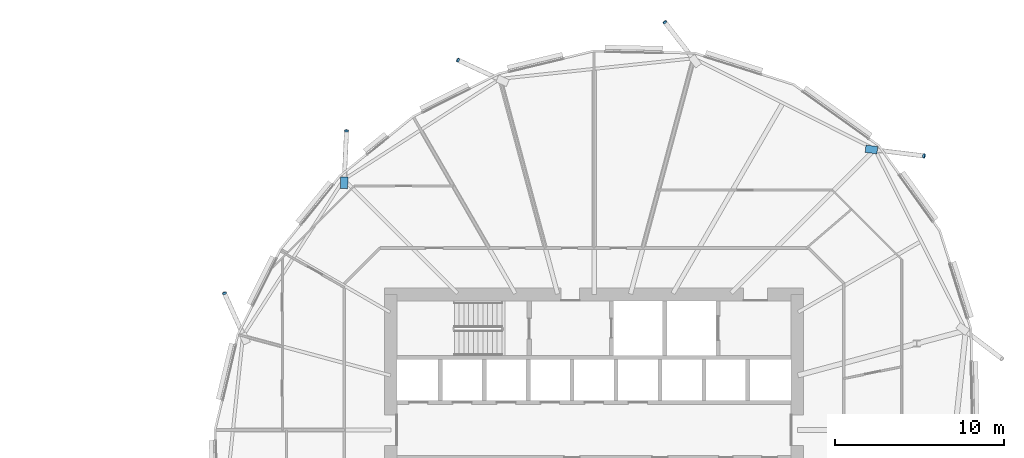
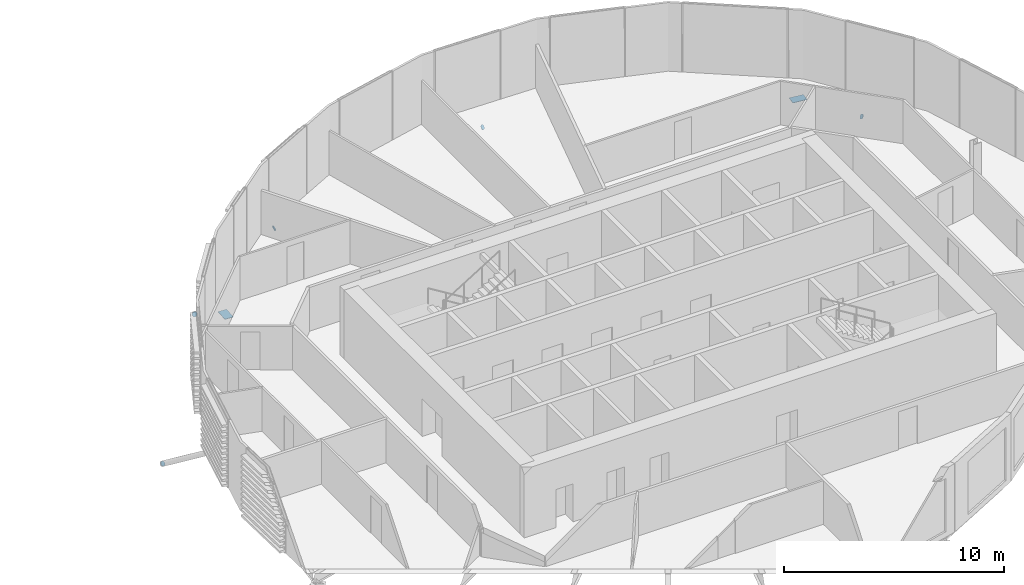
# One storey, part 35 of 42: 7 discrete accessories.
"""IFC4 building model written with IfcOpenShell, lengths in metres."""

from ifc_helpers import new_model, si_unit, direction, frame, origin, origin_2d, place, context, subcontext, project, spatial, polyline, rectangle, circle, outline, extrude, material, material_profile, profile_set, type_object, element, save


model = new_model("IFC4")

# Units and contexts
model_context = context("Model", 3, precision=1e-05, world=origin(), true_north=direction((0.0, 1.0)))
body_context = subcontext(model_context, "Body", "Model", "MODEL_VIEW")
ifc_project = project(units=[si_unit("LENGTHUNIT", "METRE"), si_unit("AREAUNIT", "SQUARE_METRE"), si_unit("VOLUMEUNIT", "CUBIC_METRE"), si_unit("PLANEANGLEUNIT", "RADIAN"), si_unit("MASSUNIT", "GRAM", prefix="KILO")], contexts=[model_context])

# Site, building, storey
site_placement = place(None, origin())
site = spatial("IfcSite", under=ifc_project, at=site_placement, CompositionType="ELEMENT")
building_placement = place(site_placement, origin())
building = spatial("IfcBuilding", under=site, at=building_placement, Name="Rimbun Link Towers", CompositionType="ELEMENT")
storey_placement = place(building_placement, frame((0.0, 0.0, 85.39990234375)))
storey = spatial("IfcBuildingStorey", under=building, at=storey_placement, Name="L20", CompositionType="ELEMENT", Elevation=85.39990234375)

# Discrete accessories
ifc_material_1 = material(Name="Steel S355J2H", Category="steel")
ifc_material_profile_1 = material_profile(ifc_material_1, circle(Radius=0.1240234375, at=origin_2d()), Name="PL D248")
ifc_profile_set_1 = profile_set([ifc_material_profile_1], Name="Steel S355J2H")
discrete_accessory_type_1 = type_object("IfcDiscreteAccessoryType", Name="Link foot sealing plate D248X20", PredefinedType="BRACKET", material=ifc_profile_set_1)
discrete_accessory_1_placement = place(storey_placement, frame((51.229736328125, 16.186767578125, -2.684814453125), z_axis=(0.852328602971, -0.109585106096, -0.511397161783), x_axis=(0.12752174254, 0.991835775307, 0.0)))
element("IfcDiscreteAccessory", 1, at=discrete_accessory_1_placement, inside=storey, type_object=discrete_accessory_type_1, Name="Link foot sealing plate T2 L20 00", PredefinedType="BRACKET", context=body_context, shape_type="SweptSolid", body=[
    extrude(circle(Radius=0.1240234375, at=origin_2d()), origin(), (0.0, 0.0, 1.0), 0.02001953125),
])
discrete_accessory_2_placement = place(storey_placement, frame((35.93701171875, 24.080078125, -2.712158203125), z_axis=(-0.520152833172, 0.677408340875, -0.520152833172), x_axis=(-0.793150213885, -0.60902605709, 0.0)))
element("IfcDiscreteAccessory", 2, at=discrete_accessory_2_placement, inside=storey, type_object=discrete_accessory_type_1, Name="Link foot sealing plate T2 L20 02", PredefinedType="BRACKET", context=body_context, shape_type="SweptSolid", body=[
    extrude(circle(Radius=0.1240234375, at=origin_2d()), origin(), (0.0, 0.0, 1.0), 0.020263671875),
])
for number, where, z_axis, x_axis, name in (
    (3, (23.718994140625, 21.840087890625, -2.6640625), (-0.772033315834, 0.355380415225, -0.526943374299), (-0.418143605528, -0.908380936147, 0.0), "Link foot sealing plate T2 L20 04"),
    (4, (17.1279296875, 17.654541015625, -2.593505859375), (0.03649321796, 0.85150841907, -0.523069457429), (-0.999082895818, 0.042817838392, 0.0), "Link foot sealing plate T2 L20 06"),
    (5, (9.925048828125, 8.066650390625, -2.53759765625), (-0.340100483303, 0.765226087432, -0.546590062451), (-0.91381154862, -0.406138466053, 0.0), "Link foot sealing plate T2 L20 08"),
):
    element("IfcDiscreteAccessory", number, at=place(storey_placement, frame(where, z_axis=z_axis, x_axis=x_axis)), inside=storey, type_object=discrete_accessory_type_1, Name=name, PredefinedType="BRACKET", context=body_context, shape_type="SweptSolid", body=[
        extrude(circle(Radius=0.1240234375, at=origin_2d()), origin(), (0.0, 0.0, 1.0), 0.02001953125),
    ])
ifc_material_2 = material(Name="Steel S355J2H", Category="steel")
ifc_material_profile_2 = material_profile(ifc_material_2, rectangle(XDim=0.43310546875, YDim=0.43310546875, at=origin_2d()), Name="PL 433x433")
ifc_profile_set_2 = profile_set([ifc_material_profile_2], Name="Steel S355J2H")
discrete_accessory_type_2 = type_object("IfcDiscreteAccessoryType", Name="Link head end plate 433X20", PredefinedType="BRACKET", material=ifc_profile_set_2)
discrete_accessory_3_placement = place(storey_placement, frame((0.0, 0.0, -0.86328125)))
element("IfcDiscreteAccessory", 6, at=discrete_accessory_3_placement, inside=storey, type_object=discrete_accessory_type_2, Name="Link head end plate T2 L20 00", PredefinedType="BRACKET", context=body_context, shape_type="SweptSolid", body=[
    extrude(outline(polyline([(47.756591796875, 16.396728515625), (48.452880859375, 16.310791015625), (48.506103515625, 16.740478515625), (47.8095703125, 16.826416015625), (47.756591796875, 16.396728515625)])), origin(), (0.0, 0.0, 1.0), 0.019775390625),
])
discrete_accessory_4_placement = place(storey_placement, frame((0.0, 0.0, -0.712890625)))
element("IfcDiscreteAccessory", 7, at=discrete_accessory_4_placement, inside=storey, type_object=discrete_accessory_type_2, Name="Link head end plate T2 L20 06", PredefinedType="BRACKET", context=body_context, shape_type="SweptSolid", body=[
    extrude(outline(polyline([(17.190185546875, 14.246337890625), (17.22119140625, 14.92724609375), (16.78857421875, 14.947021484375), (16.7578125, 14.26611328125), (17.190185546875, 14.246337890625)])), origin(), (0.0, 0.0, 1.0), 0.019775390625),
])

save(model, "model.ifc")
